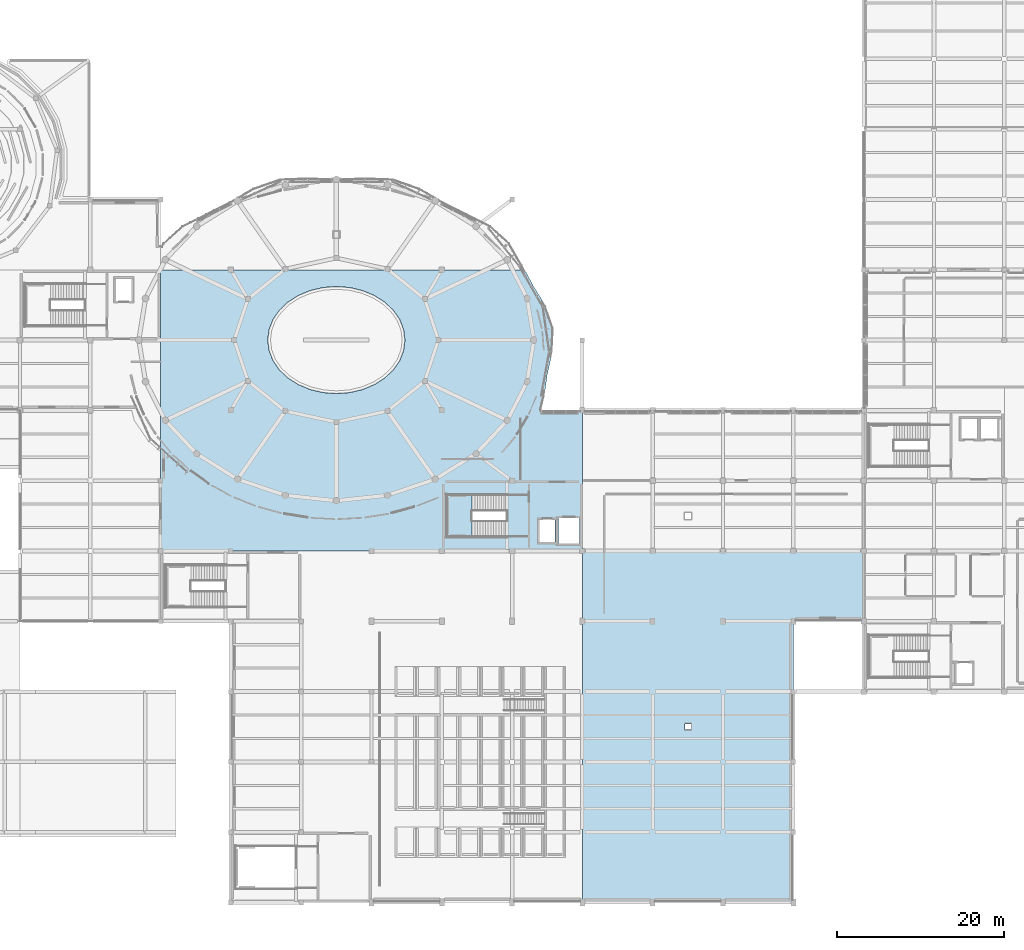
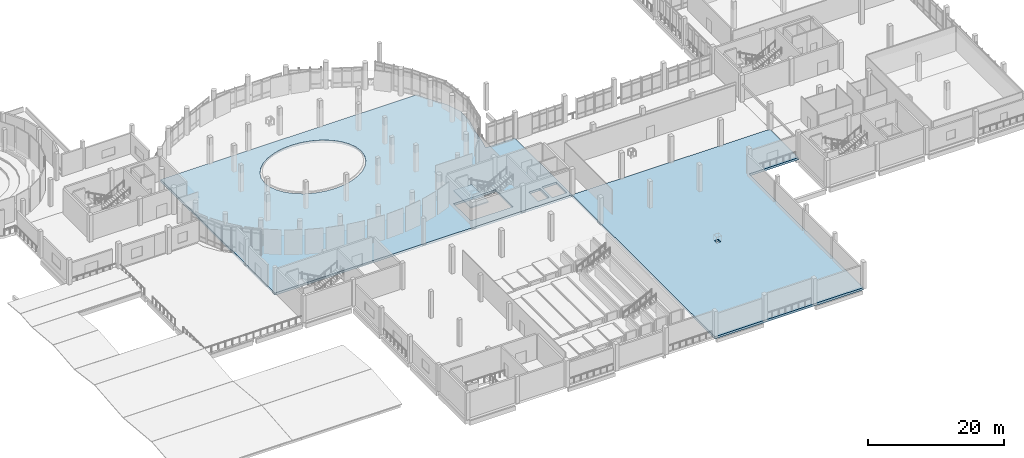
# One storey, part 33 of 63: 3 slabs, 1 element without a shape of its own.
"""IFC4 building model written with IfcOpenShell, lengths in metres."""

from ifc_helpers import new_model, si_unit, derived_unit, direction, frame, origin, place, context, subcontext, project, spatial, polyline, outline, extrude, material, layer, layer_set, type_object, element, aggregate, save


model = new_model("IFC4")

# Units and contexts
model_context = context("Model", 3, precision=1e-05, world=origin(), true_north=direction((0.0, 1.0)))
body_context = subcontext(model_context, "Body", "Model", "MODEL_VIEW")
ifc_project = project(units=[si_unit("LENGTHUNIT", "METRE"), si_unit("AREAUNIT", "SQUARE_METRE"), si_unit("VOLUMEUNIT", "CUBIC_METRE"), si_unit("PLANEANGLEUNIT", "RADIAN"), si_unit("MASSUNIT", "GRAM", prefix="KILO"), derived_unit("THERMALTRANSMITTANCEUNIT", [(si_unit("POWERUNIT", "WATT"), 1), (si_unit("LENGTHUNIT", "METRE"), -2), (si_unit("THERMODYNAMICTEMPERATUREUNIT", "KELVIN"), -1)])], contexts=[model_context])

# Site, building, storey
site_placement = place(None, origin())
site = spatial("IfcSite", under=ifc_project, at=site_placement, CompositionType="ELEMENT")
building_placement = place(site_placement, origin())
building = spatial("IfcBuilding", under=site, at=building_placement, Name="Elbkamm Science Centre", CompositionType="ELEMENT")
storey_placement = place(building_placement, frame((0.0, 0.0, 5.10009765625)))
storey = spatial("IfcBuildingStorey", under=building, at=storey_placement, Name="L01", CompositionType="ELEMENT", Elevation=5.10009765625)

# Slabs
ifc_material = material(Name="Reinforced concrete C40/50", Category="concrete")
ifc_layer_1 = layer(ifc_material, 0.39990234375)
ifc_layer_set_1 = layer_set([ifc_layer_1], Name="Reinforced concrete C40/50")
slab_type_1 = type_object("IfcSlabType", Name="SLAB-FLR-400", PredefinedType="FLOOR", material=ifc_layer_set_1)
slab_1_placement = place(storey_placement, frame((0.0, 0.0, -0.400146484375)))
element("IfcSlab", 1, at=slab_1_placement, inside=storey, type_object=slab_type_1, Name="L01 Structural Slab CM-04", PredefinedType="FLOOR", context=body_context, shape_type="SweptSolid", body=[
    extrude(outline(polyline([(86.51171875, 73.701904296875), (88.015869140625, 71.2607421875), (88.952880859375, 68.590087890625), (88.800048828125, 65.800048828125), (88.205810546875, 63.108154296875), (87.825927734375, 60.390380859375), (87.442626953125, 58.800048828125), (92.39990234375, 58.800048828125), (92.39990234375, 42.0), (42.0, 42.0), (42.0, 53.877685546875), (42.0, 75.60009765625), (85.501220703125, 75.60009765625), (86.51171875, 73.701904296875)]), holes=[polyline([(56.181884765625, 63.644287109375), (57.20166015625, 62.674560546875), (58.4443359375, 61.878662109375), (59.862060546875, 61.287109375), (61.400390625, 60.923095703125), (63.0, 60.800048828125), (64.599609375, 60.923095703125), (66.137939453125, 61.287109375), (67.5556640625, 61.878662109375), (68.79833984375, 62.674560546875), (69.818115234375, 63.644287109375), (70.57568359375, 64.750732421875), (71.04248046875, 65.951416015625), (71.199951171875, 67.199951171875), (71.04248046875, 68.448486328125), (70.57568359375, 69.649169921875), (69.818115234375, 70.755615234375), (68.79833984375, 71.7255859375), (67.5556640625, 72.521484375), (66.137939453125, 73.11279296875), (64.599609375, 73.47705078125), (63.0, 73.60009765625), (61.400390625, 73.47705078125), (59.862060546875, 73.11279296875), (58.4443359375, 72.521484375), (57.20166015625, 71.7255859375), (56.181884765625, 70.755615234375), (55.42431640625, 69.649169921875), (54.95751953125, 68.448486328125), (54.800048828125, 67.199951171875), (54.95751953125, 65.951416015625), (55.42431640625, 64.750732421875), (56.181884765625, 63.644287109375)]), polyline([(76.199951171875, 43.679931640625), (83.3798828125, 43.679931640625), (83.3798828125, 48.719970703125), (76.199951171875, 48.719970703125), (76.199951171875, 43.679931640625)]), polyline([(87.25, 43.050048828125), (89.14990234375, 43.050048828125), (89.14990234375, 45.75), (87.25, 45.75), (87.25, 43.050048828125)]), polyline([(89.550048828125, 45.949951171875), (89.550048828125, 42.85009765625), (92.050048828125, 42.85009765625), (92.050048828125, 45.949951171875), (89.550048828125, 45.949951171875)])]), origin(), (0.0, 0.0, 1.0), 0.400146484375),
])
slab_2_placement = place(storey_placement, frame((0.0, 0.0, -0.400146484375)))
element("IfcSlab", 2, at=slab_2_placement, inside=storey, type_object=slab_type_1, Name="L01 Structural Slab MS-06", PredefinedType="FLOOR", context=body_context, shape_type="SweptSolid", body=[
    extrude(outline(polyline([(117.60009765625, 33.60009765625), (117.60009765625, 0.0), (92.39990234375, 0.0), (92.39990234375, 42.0), (125.97509765625, 42.0), (125.97509765625, 33.60009765625), (117.60009765625, 33.60009765625)]), holes=[polyline([(105.35009765625, 21.35009765625), (104.64990234375, 21.35009765625), (104.64990234375, 20.64990234375), (105.35009765625, 20.64990234375), (105.35009765625, 21.35009765625)])]), origin(), (0.0, 0.0, 1.0), 0.400146484375),
])

# Stair, slab
stair_type = type_object("IfcStairType", Name="ST-TWO-28R-192", PredefinedType="USERDEFINED", material=ifc_material)
stair_placement = place(storey_placement, origin())
stair = element("IfcStair", 3, at=stair_placement, inside=storey, type_object=stair_type, Name="L01 Core C2 Central Exhibition and Skybridge Core Escape Stair", ObjectType="TWO_RETURN_STAIR", PredefinedType="USERDEFINED")
ifc_layer_2 = layer(ifc_material, 0.199951171875)
ifc_layer_set_2 = layer_set([ifc_layer_2], Name="Reinforced concrete C40/50")
slab_type_2 = type_object("IfcSlabType", Name="SLAB-LAND-200", PredefinedType="LANDING", material=ifc_layer_set_2)
slab_3_placement = place(storey_placement, frame((0.0, 0.0, 2.199951171875)))
slab_3 = element("IfcSlab", 4, at=slab_3_placement, type_object=slab_type_2, Name="ST-C2 landing 1", PredefinedType="LANDING", context=body_context, shape_type="SweptSolid", body=[
    extrude(outline(polyline([(79.219970703125, 48.719970703125), (76.199951171875, 48.719970703125), (76.199951171875, 43.679931640625), (79.219970703125, 43.679931640625), (79.219970703125, 48.719970703125)])), origin(), (0.0, 0.0, 1.0), 0.199951171875),
])
aggregate(stair, [slab_3])

save(model, "model.ifc")
